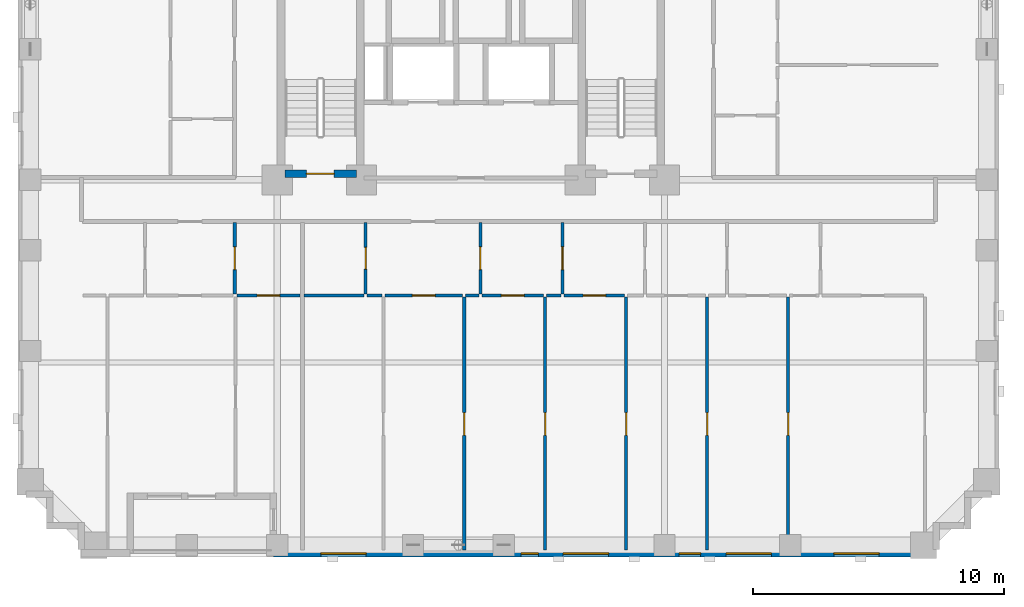
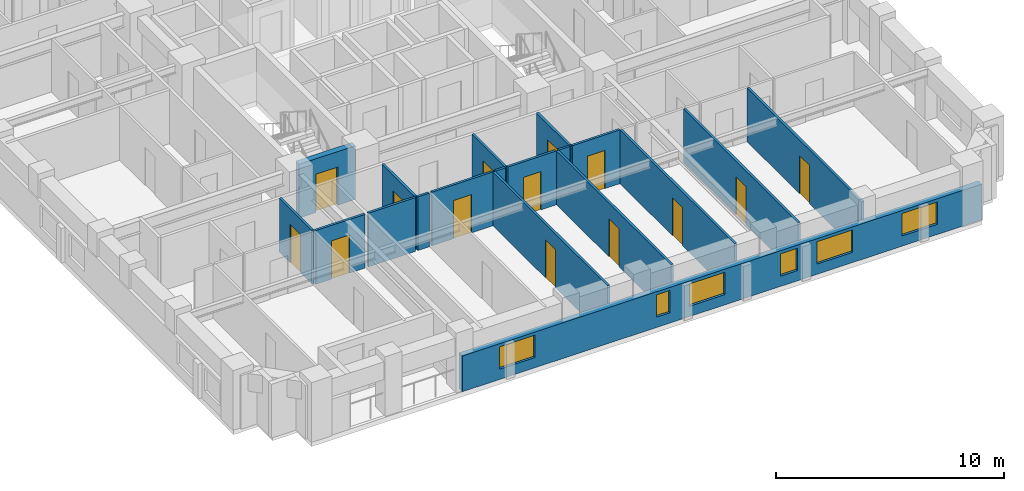
# One storey, part 3 of 14: 19 walls, 14 doors, 6 windows, 20 openings.
"""IFC4 building model written with IfcOpenShell, lengths in metres."""

from ifc_helpers import new_model, si_unit, derived_unit, direction, frame, frame_2d, origin, place, context, subcontext, project, spatial, rectangle, extrude, material, layer, layer_set, type_object, element, fill, save


model = new_model("IFC4")

# Units and contexts
model_context = context("Model", 3, precision=1e-05, world=origin(), true_north=direction((0.0, 1.0)))
body_context = subcontext(model_context, "Body", "Model", "MODEL_VIEW")
ifc_project = project(units=[si_unit("LENGTHUNIT", "METRE"), si_unit("AREAUNIT", "SQUARE_METRE"), si_unit("VOLUMEUNIT", "CUBIC_METRE"), si_unit("PLANEANGLEUNIT", "RADIAN"), si_unit("MASSUNIT", "GRAM", prefix="KILO"), derived_unit("THERMALTRANSMITTANCEUNIT", [(si_unit("MASSUNIT", "GRAM", prefix="KILO"), 1), (si_unit("TIMEUNIT", "SECOND"), -3), (si_unit("THERMODYNAMICTEMPERATUREUNIT", "KELVIN"), -1)])], contexts=[model_context])

# Site, building, storey
site_placement = place(None, origin())
site = spatial("IfcSite", under=ifc_project, at=site_placement, CompositionType="ELEMENT")
building_placement = place(site_placement, origin())
building = spatial("IfcBuilding", under=site, at=building_placement, Name="Korrvale Station Residences", CompositionType="ELEMENT")
storey_placement = place(building_placement, frame((0.0, 0.0, 67.39990234375)))
storey = spatial("IfcBuildingStorey", under=building, at=storey_placement, Name="L18", CompositionType="ELEMENT", Elevation=67.39990234375)

# Wall, opening, door
ifc_material_1 = material(Name="Concrete C70/85", Category="concrete")
ifc_layer_1 = layer(ifc_material_1, 0.300048828125, Name="Concrete C70/85")
ifc_layer_set_1 = layer_set([ifc_layer_1], Name="Concrete C70/85")
wall_type_1 = type_object("IfcWallType", Name="WAL-CORE-300-C70", PredefinedType="SHEAR", material=ifc_layer_set_1)
wall_1_placement = place(storey_placement, frame((18.10009765625, 15.25, 0.0), z_axis=(0.0, 0.0, 1.0), x_axis=(1.0, 0.0, 0.0)))
wall_1 = element("IfcWall", 1, at=wall_1_placement, inside=storey, type_object=wall_type_1, Name="L18 ST-1 Core Shear Wall South", PredefinedType="SHEAR", context=body_context, shape_type="SweptSolid", body=[
    extrude(rectangle(XDim=2.849853515625, YDim=0.300048828125, at=frame_2d((1.4248046875, 0.0))), origin(), (0.0, 0.0, 1.0), 2.880126953125),
])
opening_1_placement = place(wall_1_placement, frame((0.860107421875, 0.0, 0.0)))
opening_1 = element("IfcOpeningElement", 2, at=opening_1_placement, cuts=wall_1, Name="Opening SD-1100", PredefinedType="OPENING", context=body_context, shape_type="SweptSolid", body=[
    extrude(rectangle(XDim=1.10009765625, YDim=2.050048828125, at=frame_2d((0.550048828125, 1.02490234375))), frame((0.0, 0.16015625, 0.0), z_axis=(0.0, -1.0, 0.0), x_axis=(1.0, 0.0, 0.0)), (0.0, 0.0, 1.0), 0.320068359375),
])
ifc_material_2 = material(Name="Hollow-metal fire-rated stair door with closer", Category="steel")
door_type_1 = type_object("IfcDoorType", Name="DR-STAIR-1100", OperationType="NOTDEFINED", PredefinedType="DOOR", material=ifc_material_2)
door_1_placement = place(opening_1_placement, origin())
door_1 = element("IfcDoor", 3, at=door_1_placement, inside=storey, type_object=door_type_1, Name="L18 ST-1 Exit Stair Door", OperationType="SINGLE_SWING_LEFT", OverallHeight=2.050048828125, OverallWidth=1.10009765625, PredefinedType="DOOR", context=body_context, shape_type="SweptSolid", body=[
    extrude(rectangle(XDim=1.10009765625, YDim=2.050048828125, at=frame_2d((0.550048828125, 1.02490234375))), frame((0.0, 0.02490234375, 0.0), z_axis=(0.0, -1.0, 0.0), x_axis=(1.0, 0.0, 0.0)), (0.0, 0.0, 1.0), 0.050048828125),
])
fill(opening_1, door_1)

# Wall, openings, windows
ifc_material_3 = material(Name="Precast concrete C45/55", Category="concrete")
ifc_layer_2 = layer(ifc_material_3, 0.300048828125, Name="Precast concrete C45/55")
ifc_layer_set_2 = layer_set([ifc_layer_2], Name="Precast concrete C45/55")
wall_type_2 = type_object("IfcWallType", Name="WAL-EXT-PC300", PredefinedType="SOLIDWALL", material=ifc_layer_set_2)
wall_2_placement = place(storey_placement, frame((44.0, 0.14990234375, 0.0), z_axis=(0.0, 0.0, 1.0), x_axis=(-1.0, 0.0, 0.0)))
wall_2 = element("IfcWall", 4, at=wall_2_placement, inside=storey, type_object=wall_type_2, Name="L18 South Exterior Precast Wall 1", PredefinedType="SOLIDWALL", context=body_context, shape_type="SweptSolid", body=[
    extrude(rectangle(XDim=26.35009765625, YDim=0.300048828125, at=frame_2d((13.175048828125, 0.0))), origin(), (0.0, 0.0, 1.0), 1.9150390625),
])
opening_2_placement = place(wall_2_placement, frame((22.6650390625, 0.0, 0.550048828125)))
opening_2 = element("IfcOpeningElement", 5, at=opening_2_placement, cuts=wall_2, Name="Opening W-09", PredefinedType="OPENING", context=body_context, shape_type="SweptSolid", body=[
    extrude(rectangle(XDim=1.800048828125, YDim=1.199951171875, at=frame_2d((0.89990234375, 0.60009765625))), frame((0.0, 0.16015625, 0.0), z_axis=(0.0, -1.0, 0.0), x_axis=(1.0, 0.0, 0.0)), (0.0, 0.0, 1.0), 0.320068359375),
])
opening_3_placement = place(wall_2_placement, frame((15.820068359375, 0.0, 0.550048828125)))
opening_3 = element("IfcOpeningElement", 6, at=opening_3_placement, cuts=wall_2, Name="Opening W-12", PredefinedType="OPENING", context=body_context, shape_type="SweptSolid", body=[
    extrude(rectangle(XDim=0.679931640625, YDim=1.199951171875, at=frame_2d((0.33984375, 0.60009765625))), frame((0.0, 0.16015625, 0.0), z_axis=(0.0, -1.0, 0.0), x_axis=(1.0, 0.0, 0.0)), (0.0, 0.0, 1.0), 0.320068359375),
])
opening_4_placement = place(wall_2_placement, frame((13.027099609375, 0.0, 0.550048828125)))
opening_4 = element("IfcOpeningElement", 7, at=opening_4_placement, cuts=wall_2, Name="Opening W-09", PredefinedType="OPENING", context=body_context, shape_type="SweptSolid", body=[
    extrude(rectangle(XDim=1.800048828125, YDim=1.199951171875, at=frame_2d((0.89990234375, 0.60009765625))), frame((0.0, 0.16015625, 0.0), z_axis=(0.0, -1.0, 0.0), x_axis=(1.0, 0.0, 0.0)), (0.0, 0.0, 1.0), 0.320068359375),
])
opening_5_placement = place(wall_2_placement, frame((9.364990234375, 0.0, 0.550048828125)))
opening_5 = element("IfcOpeningElement", 8, at=opening_5_placement, cuts=wall_2, Name="Opening W-11", PredefinedType="OPENING", context=body_context, shape_type="SweptSolid", body=[
    extrude(rectangle(XDim=0.85009765625, YDim=1.199951171875, at=frame_2d((0.425048828125, 0.60009765625))), frame((0.0, 0.16015625, 0.0), z_axis=(0.0, -1.0, 0.0), x_axis=(1.0, 0.0, 0.0)), (0.0, 0.0, 1.0), 0.320068359375),
])
opening_6_placement = place(wall_2_placement, frame((6.552978515625, 0.0, 0.550048828125)))
opening_6 = element("IfcOpeningElement", 9, at=opening_6_placement, cuts=wall_2, Name="Opening W-09", PredefinedType="OPENING", context=body_context, shape_type="SweptSolid", body=[
    extrude(rectangle(XDim=1.800048828125, YDim=1.199951171875, at=frame_2d((0.89990234375, 0.60009765625))), frame((0.0, 0.16015625, 0.0), z_axis=(0.0, -1.0, 0.0), x_axis=(1.0, 0.0, 0.0)), (0.0, 0.0, 1.0), 0.320068359375),
])
opening_7_placement = place(wall_2_placement, frame((2.261962890625, 0.0, 0.550048828125)))
opening_7 = element("IfcOpeningElement", 10, at=opening_7_placement, cuts=wall_2, Name="Opening W-09", PredefinedType="OPENING", context=body_context, shape_type="SweptSolid", body=[
    extrude(rectangle(XDim=1.800048828125, YDim=1.199951171875, at=frame_2d((0.89990234375, 0.60009765625))), frame((0.0, 0.16015625, 0.0), z_axis=(0.0, -1.0, 0.0), x_axis=(1.0, 0.0, 0.0)), (0.0, 0.0, 1.0), 0.320068359375),
])
ifc_material_4 = material(Name="Thermally broken aluminium frame with triple low-e glazing", Category="aluminium")
window_type_1 = type_object("IfcWindowType", Name="WIN-W09", PartitioningType="DOUBLE_PANEL_VERTICAL", PredefinedType="WINDOW", material=ifc_material_4)
window_1_placement = place(opening_2_placement, origin())
window_1 = element("IfcWindow", 11, at=window_1_placement, inside=storey, type_object=window_type_1, Name="L18 Punched Window 05", OverallHeight=1.199951171875, OverallWidth=1.800048828125, PartitioningType="DOUBLE_PANEL_VERTICAL", PredefinedType="WINDOW", context=body_context, shape_type="SweptSolid", body=[
    extrude(rectangle(XDim=1.800048828125, YDim=1.199951171875, at=frame_2d((0.89990234375, 0.60009765625))), frame((0.0, 0.030029296875, 0.0), z_axis=(0.0, -1.0, 0.0), x_axis=(1.0, 0.0, 0.0)), (0.0, 0.0, 1.0), 0.06005859375),
])
fill(opening_2, window_1)
window_2_placement = place(opening_4_placement, origin())
window_2 = element("IfcWindow", 12, at=window_2_placement, inside=storey, type_object=window_type_1, Name="L18 Punched Window 07", OverallHeight=1.199951171875, OverallWidth=1.800048828125, PartitioningType="DOUBLE_PANEL_VERTICAL", PredefinedType="WINDOW", context=body_context, shape_type="SweptSolid", body=[
    extrude(rectangle(XDim=1.800048828125, YDim=1.199951171875, at=frame_2d((0.89990234375, 0.60009765625))), frame((0.0, 0.030029296875, 0.0), z_axis=(0.0, -1.0, 0.0), x_axis=(1.0, 0.0, 0.0)), (0.0, 0.0, 1.0), 0.06005859375),
])
fill(opening_4, window_2)
window_3_placement = place(opening_6_placement, origin())
window_3 = element("IfcWindow", 13, at=window_3_placement, inside=storey, type_object=window_type_1, Name="L18 Punched Window 09", OverallHeight=1.199951171875, OverallWidth=1.800048828125, PartitioningType="DOUBLE_PANEL_VERTICAL", PredefinedType="WINDOW", context=body_context, shape_type="SweptSolid", body=[
    extrude(rectangle(XDim=1.800048828125, YDim=1.199951171875, at=frame_2d((0.89990234375, 0.60009765625))), frame((0.0, 0.030029296875, 0.0), z_axis=(0.0, -1.0, 0.0), x_axis=(1.0, 0.0, 0.0)), (0.0, 0.0, 1.0), 0.06005859375),
])
fill(opening_6, window_3)
window_4_placement = place(opening_7_placement, origin())
window_4 = element("IfcWindow", 14, at=window_4_placement, inside=storey, type_object=window_type_1, Name="L18 Punched Window 10", OverallHeight=1.199951171875, OverallWidth=1.800048828125, PartitioningType="DOUBLE_PANEL_VERTICAL", PredefinedType="WINDOW", context=body_context, shape_type="SweptSolid", body=[
    extrude(rectangle(XDim=1.800048828125, YDim=1.199951171875, at=frame_2d((0.89990234375, 0.60009765625))), frame((0.0, 0.030029296875, 0.0), z_axis=(0.0, -1.0, 0.0), x_axis=(1.0, 0.0, 0.0)), (0.0, 0.0, 1.0), 0.06005859375),
])
fill(opening_7, window_4)
window_type_2 = type_object("IfcWindowType", Name="WIN-W11", PartitioningType="SINGLE_PANEL", PredefinedType="WINDOW", material=ifc_material_4)
window_5_placement = place(opening_5_placement, origin())
window_5 = element("IfcWindow", 15, at=window_5_placement, inside=storey, type_object=window_type_2, Name="L18 Punched Window 08", OverallHeight=1.199951171875, OverallWidth=0.85009765625, PartitioningType="SINGLE_PANEL", PredefinedType="WINDOW", context=body_context, shape_type="SweptSolid", body=[
    extrude(rectangle(XDim=0.85009765625, YDim=1.199951171875, at=frame_2d((0.425048828125, 0.60009765625))), frame((0.0, 0.030029296875, 0.0), z_axis=(0.0, -1.0, 0.0), x_axis=(1.0, 0.0, 0.0)), (0.0, 0.0, 1.0), 0.06005859375),
])
fill(opening_5, window_5)
window_type_3 = type_object("IfcWindowType", Name="WIN-W12", PartitioningType="SINGLE_PANEL", PredefinedType="WINDOW", material=ifc_material_4)
window_6_placement = place(opening_3_placement, origin())
window_6 = element("IfcWindow", 16, at=window_6_placement, inside=storey, type_object=window_type_3, Name="L18 Punched Window 06", OverallHeight=1.199951171875, OverallWidth=0.679931640625, PartitioningType="SINGLE_PANEL", PredefinedType="WINDOW", context=body_context, shape_type="SweptSolid", body=[
    extrude(rectangle(XDim=0.679931640625, YDim=1.199951171875, at=frame_2d((0.33984375, 0.60009765625))), frame((0.0, 0.030029296875, 0.0), z_axis=(0.0, -1.0, 0.0), x_axis=(1.0, 0.0, 0.0)), (0.0, 0.0, 1.0), 0.06005859375),
])
fill(opening_3, window_6)

# Wall, opening, door
ifc_material_5 = material(Name="Acoustic steel-stud gypsum board partition", Category="steel")
ifc_layer_3 = layer(ifc_material_5, 0.1201171875, Name="Acoustic steel-stud gypsum board partition")
ifc_layer_set_3 = layer_set([ifc_layer_3], Name="Acoustic steel-stud gypsum board partition")
wall_type_3 = type_object("IfcWallType", Name="WAL-PART-125", PredefinedType="PARTITIONING", material=ifc_layer_set_3)
wall_3_placement = place(storey_placement, frame((16.110107421875, 10.4599609375, 0.0), z_axis=(0.0, 0.0, 1.0), x_axis=(0.0, 1.0, 0.0)))
wall_3 = element("IfcWall", 17, at=wall_3_placement, inside=storey, type_object=wall_type_3, Name="L18 Suite Partition U01-V12", PredefinedType="PARTITIONING", context=body_context, shape_type="SweptSolid", body=[
    extrude(rectangle(XDim=2.85009765625, YDim=0.1201171875, at=frame_2d((1.425048828125, 0.0))), origin(), (0.0, 0.0, 1.0), 2.880126953125),
])
opening_8_placement = place(wall_3_placement, frame((0.97509765625, 0.0, 0.0)))
opening_8 = element("IfcOpeningElement", 18, at=opening_8_placement, cuts=wall_3, Name="Opening DI-900", PredefinedType="OPENING", context=body_context, shape_type="SweptSolid", body=[
    extrude(rectangle(XDim=0.89990234375, YDim=2.050048828125, at=frame_2d((0.449951171875, 1.02490234375))), frame((0.0, 0.070068359375, 0.0), z_axis=(0.0, -1.0, 0.0), x_axis=(1.0, 0.0, 0.0)), (0.0, 0.0, 1.0), 0.14013671875),
])
ifc_material_6 = material(Name="Painted solid-core timber interior room door", Category="wood")
door_type_2 = type_object("IfcDoorType", Name="DR-INT-900", OperationType="NOTDEFINED", PredefinedType="DOOR", material=ifc_material_6)
door_2_placement = place(opening_8_placement, origin())
door_2 = element("IfcDoor", 19, at=door_2_placement, inside=storey, type_object=door_type_2, Name="L18 Studio Apartment L18-U01 Kitchen Door", OperationType="SINGLE_SWING_RIGHT", OverallHeight=2.050048828125, OverallWidth=0.89990234375, PredefinedType="DOOR", context=body_context, shape_type="SweptSolid", body=[
    extrude(rectangle(XDim=0.89990234375, YDim=2.050048828125, at=frame_2d((0.449951171875, 1.02490234375))), frame((0.0, 0.02490234375, 0.0), z_axis=(0.0, -1.0, 0.0), x_axis=(1.0, 0.0, 0.0)), (0.0, 0.0, 1.0), 0.050048828125),
])
fill(opening_8, door_2)

wall_4_placement = place(storey_placement, frame((16.196044921875, 10.39990234375, 0.0), z_axis=(0.0, 0.0, 1.0), x_axis=(1.0, 0.0, 0.0)))
wall_4 = element("IfcWall", 20, at=wall_4_placement, inside=storey, type_object=wall_type_3, Name="L18 Suite Partition U01-H25", PredefinedType="PARTITIONING", context=body_context, shape_type="SweptSolid", body=[
    extrude(rectangle(XDim=2.5, YDim=0.1201171875, at=frame_2d((1.25, 0.0))), origin(), (0.0, 0.0, 1.0), 2.880126953125),
])
opening_9_placement = place(wall_4_placement, frame((0.800048828125, 0.0, 0.0)))
opening_9 = element("IfcOpeningElement", 21, at=opening_9_placement, cuts=wall_4, Name="Opening DI-900", PredefinedType="OPENING", context=body_context, shape_type="SweptSolid", body=[
    extrude(rectangle(XDim=0.89990234375, YDim=2.050048828125, at=frame_2d((0.449951171875, 1.02490234375))), frame((0.0, 0.070068359375, 0.0), z_axis=(0.0, -1.0, 0.0), x_axis=(1.0, 0.0, 0.0)), (0.0, 0.0, 1.0), 0.14013671875),
])
door_3_placement = place(opening_9_placement, origin())
door_3 = element("IfcDoor", 22, at=door_3_placement, inside=storey, type_object=door_type_2, Name="L18 Studio Apartment L18-U01 Utility and Laundry Room Door", OperationType="SINGLE_SWING_RIGHT", OverallHeight=2.050048828125, OverallWidth=0.89990234375, PredefinedType="DOOR", context=body_context, shape_type="SweptSolid", body=[
    extrude(rectangle(XDim=0.89990234375, YDim=2.050048828125, at=frame_2d((0.449951171875, 1.02490234375))), frame((0.0, 0.02490234375, 0.0), z_axis=(0.0, -1.0, 0.0), x_axis=(1.0, 0.0, 0.0)), (0.0, 0.0, 1.0), 0.050048828125),
])
fill(opening_9, door_3)

wall_5_placement = place(storey_placement, frame((21.31591796875, 10.4599609375, 0.0), z_axis=(0.0, 0.0, 1.0), x_axis=(0.0, 1.0, 0.0)))
wall_5 = element("IfcWall", 23, at=wall_5_placement, inside=storey, type_object=wall_type_3, Name="L18 Suite Partition U02-V01", PredefinedType="PARTITIONING", context=body_context, shape_type="SweptSolid", body=[
    extrude(rectangle(XDim=2.85009765625, YDim=0.1201171875, at=frame_2d((1.425048828125, 0.0))), origin(), (0.0, 0.0, 1.0), 2.880126953125),
])
opening_10_placement = place(wall_5_placement, frame((0.9951171875, 0.0, 0.0)))
opening_10 = element("IfcOpeningElement", 24, at=opening_10_placement, cuts=wall_5, Name="Opening DB-860", PredefinedType="OPENING", context=body_context, shape_type="SweptSolid", body=[
    extrude(rectangle(XDim=0.860107421875, YDim=2.050048828125, at=frame_2d((0.43017578125, 1.02490234375))), frame((0.0, 0.070068359375, 0.0), z_axis=(0.0, -1.0, 0.0), x_axis=(1.0, 0.0, 0.0)), (0.0, 0.0, 1.0), 0.14013671875),
])
ifc_material_7 = material(Name="Moisture-resistant solid-core bathroom door", Category="timber")
door_type_3 = type_object("IfcDoorType", Name="DR-BATH-860", OperationType="NOTDEFINED", PredefinedType="DOOR", material=ifc_material_7)
door_4_placement = place(opening_10_placement, origin())
door_4 = element("IfcDoor", 25, at=door_4_placement, inside=storey, type_object=door_type_3, Name="L18 Studio Apartment L18-U02 Bathroom Door", OperationType="SINGLE_SWING_LEFT", OverallHeight=2.050048828125, OverallWidth=0.860107421875, PredefinedType="DOOR", context=body_context, shape_type="SweptSolid", body=[
    extrude(rectangle(XDim=0.860107421875, YDim=2.050048828125, at=frame_2d((0.43017578125, 1.02490234375))), frame((0.0, 0.02490234375, 0.0), z_axis=(0.0, -1.0, 0.0), x_axis=(1.0, 0.0, 0.0)), (0.0, 0.0, 1.0), 0.050048828125),
])
fill(opening_10, door_4)

# Wall
wall_6_placement = place(storey_placement, frame((18.85595703125, 10.39990234375, 0.0), z_axis=(0.0, 0.0, 1.0), x_axis=(1.0, 0.0, 0.0)))
element("IfcWall", 26, at=wall_6_placement, inside=storey, type_object=wall_type_3, Name="L18 Suite Partition U02-H07", PredefinedType="PARTITIONING", context=body_context, shape_type="SweptSolid", body=[
    extrude(rectangle(XDim=2.400146484375, YDim=0.1201171875, at=frame_2d((1.2001953125, 0.0))), origin(), (0.0, 0.0, 1.0), 2.880126953125),
])

# Wall, opening, door
wall_7_placement = place(storey_placement, frame((25.8759765625, 10.4599609375, 0.0), z_axis=(0.0, 0.0, 1.0), x_axis=(0.0, 1.0, 0.0)))
wall_7 = element("IfcWall", 27, at=wall_7_placement, inside=storey, type_object=wall_type_3, Name="L18 Suite Partition U02-V12", PredefinedType="PARTITIONING", context=body_context, shape_type="SweptSolid", body=[
    extrude(rectangle(XDim=2.85009765625, YDim=0.1201171875, at=frame_2d((1.425048828125, 0.0))), origin(), (0.0, 0.0, 1.0), 2.880126953125),
])
opening_11_placement = place(wall_7_placement, frame((0.97509765625, 0.0, 0.0)))
opening_11 = element("IfcOpeningElement", 28, at=opening_11_placement, cuts=wall_7, Name="Opening DI-900", PredefinedType="OPENING", context=body_context, shape_type="SweptSolid", body=[
    extrude(rectangle(XDim=0.89990234375, YDim=2.050048828125, at=frame_2d((0.449951171875, 1.02490234375))), frame((0.0, 0.070068359375, 0.0), z_axis=(0.0, -1.0, 0.0), x_axis=(1.0, 0.0, 0.0)), (0.0, 0.0, 1.0), 0.14013671875),
])
door_5_placement = place(opening_11_placement, origin())
door_5 = element("IfcDoor", 29, at=door_5_placement, inside=storey, type_object=door_type_2, Name="L18 Studio Apartment L18-U02 Kitchen Door", OperationType="SINGLE_SWING_RIGHT", OverallHeight=2.050048828125, OverallWidth=0.89990234375, PredefinedType="DOOR", context=body_context, shape_type="SweptSolid", body=[
    extrude(rectangle(XDim=0.89990234375, YDim=2.050048828125, at=frame_2d((0.449951171875, 1.02490234375))), frame((0.0, 0.02490234375, 0.0), z_axis=(0.0, -1.0, 0.0), x_axis=(1.0, 0.0, 0.0)), (0.0, 0.0, 1.0), 0.050048828125),
])
fill(opening_11, door_5)

# Wall
wall_8_placement = place(storey_placement, frame((21.3759765625, 10.39990234375, 0.0), z_axis=(0.0, 0.0, 1.0), x_axis=(1.0, 0.0, 0.0)))
element("IfcWall", 30, at=wall_8_placement, inside=storey, type_object=wall_type_3, Name="L18 Suite Partition U02-H17", PredefinedType="PARTITIONING", context=body_context, shape_type="SweptSolid", body=[
    extrude(rectangle(XDim=0.580078125, YDim=0.1201171875, at=frame_2d((0.2900390625, 0.0))), origin(), (0.0, 0.0, 1.0), 2.880126953125),
])

# Wall, opening, door
wall_9_placement = place(storey_placement, frame((22.075927734375, 10.39990234375, 0.0), z_axis=(0.0, 0.0, 1.0), x_axis=(1.0, 0.0, 0.0)))
wall_9 = element("IfcWall", 31, at=wall_9_placement, inside=storey, type_object=wall_type_3, Name="L18 Suite Partition U02-H18", PredefinedType="PARTITIONING", context=body_context, shape_type="SweptSolid", body=[
    extrude(rectangle(XDim=3.10009765625, YDim=0.1201171875, at=frame_2d((1.550048828125, 0.0))), origin(), (0.0, 0.0, 1.0), 2.880126953125),
])
opening_12_placement = place(wall_9_placement, frame((1.10009765625, 0.0, 0.0)))
opening_12 = element("IfcOpeningElement", 32, at=opening_12_placement, cuts=wall_9, Name="Opening DI-900", PredefinedType="OPENING", context=body_context, shape_type="SweptSolid", body=[
    extrude(rectangle(XDim=0.89990234375, YDim=2.050048828125, at=frame_2d((0.449951171875, 1.02490234375))), frame((0.0, 0.070068359375, 0.0), z_axis=(0.0, -1.0, 0.0), x_axis=(1.0, 0.0, 0.0)), (0.0, 0.0, 1.0), 0.14013671875),
])
door_6_placement = place(opening_12_placement, origin())
door_6 = element("IfcDoor", 33, at=door_6_placement, inside=storey, type_object=door_type_2, Name="L18 Studio Apartment L18-U02 Kitchen Door", OperationType="SINGLE_SWING_LEFT", OverallHeight=2.050048828125, OverallWidth=0.89990234375, PredefinedType="DOOR", context=body_context, shape_type="SweptSolid", body=[
    extrude(rectangle(XDim=0.89990234375, YDim=2.050048828125, at=frame_2d((0.449951171875, 1.02490234375))), frame((0.0, 0.02490234375, 0.0), z_axis=(0.0, -1.0, 0.0), x_axis=(1.0, 0.0, 0.0)), (0.0, 0.0, 1.0), 0.050048828125),
])
fill(opening_12, door_6)

# Wall
wall_10_placement = place(storey_placement, frame((25.2958984375, 10.39990234375, 0.0), z_axis=(0.0, 0.0, 1.0), x_axis=(1.0, 0.0, 0.0)))
element("IfcWall", 34, at=wall_10_placement, inside=storey, type_object=wall_type_3, Name="L18 Suite Partition U02-H19", PredefinedType="PARTITIONING", context=body_context, shape_type="SweptSolid", body=[
    extrude(rectangle(XDim=0.52001953125, YDim=0.1201171875, at=frame_2d((0.260009765625, 0.0))), origin(), (0.0, 0.0, 1.0), 2.880126953125),
])

# Wall, opening, door
wall_11_placement = place(storey_placement, frame((29.14599609375, 10.4599609375, 0.0), z_axis=(0.0, 0.0, 1.0), x_axis=(0.0, 1.0, 0.0)))
wall_11 = element("IfcWall", 35, at=wall_11_placement, inside=storey, type_object=wall_type_3, Name="L18 Suite Partition U02-V23", PredefinedType="PARTITIONING", context=body_context, shape_type="SweptSolid", body=[
    extrude(rectangle(XDim=2.85009765625, YDim=0.1201171875, at=frame_2d((1.425048828125, 0.0))), origin(), (0.0, 0.0, 1.0), 2.880126953125),
])
opening_13_placement = place(wall_11_placement, frame((0.97509765625, 0.0, 0.0)))
opening_13 = element("IfcOpeningElement", 36, at=opening_13_placement, cuts=wall_11, Name="Opening DI-900", PredefinedType="OPENING", context=body_context, shape_type="SweptSolid", body=[
    extrude(rectangle(XDim=0.89990234375, YDim=2.050048828125, at=frame_2d((0.449951171875, 1.02490234375))), frame((0.0, 0.070068359375, 0.0), z_axis=(0.0, -1.0, 0.0), x_axis=(1.0, 0.0, 0.0)), (0.0, 0.0, 1.0), 0.14013671875),
])
door_7_placement = place(opening_13_placement, origin())
door_7 = element("IfcDoor", 37, at=door_7_placement, inside=storey, type_object=door_type_2, Name="L18 Studio Apartment L18-U02 Home Study Room Door", OperationType="SINGLE_SWING_RIGHT", OverallHeight=2.050048828125, OverallWidth=0.89990234375, PredefinedType="DOOR", context=body_context, shape_type="SweptSolid", body=[
    extrude(rectangle(XDim=0.89990234375, YDim=2.050048828125, at=frame_2d((0.449951171875, 1.02490234375))), frame((0.0, 0.02490234375, 0.0), z_axis=(0.0, -1.0, 0.0), x_axis=(1.0, 0.0, 0.0)), (0.0, 0.0, 1.0), 0.050048828125),
])
fill(opening_13, door_7)

wall_12_placement = place(storey_placement, frame((25.93603515625, 10.39990234375, 0.0), z_axis=(0.0, 0.0, 1.0), x_axis=(1.0, 0.0, 0.0)))
wall_12 = element("IfcWall", 38, at=wall_12_placement, inside=storey, type_object=wall_type_3, Name="L18 Suite Partition U02-H29", PredefinedType="PARTITIONING", context=body_context, shape_type="SweptSolid", body=[
    extrude(rectangle(XDim=2.4599609375, YDim=0.1201171875, at=frame_2d((1.22998046875, 0.0))), origin(), (0.0, 0.0, 1.0), 2.880126953125),
])
opening_14_placement = place(wall_12_placement, frame((0.780029296875, 0.0, 0.0)))
opening_14 = element("IfcOpeningElement", 39, at=opening_14_placement, cuts=wall_12, Name="Opening DI-900", PredefinedType="OPENING", context=body_context, shape_type="SweptSolid", body=[
    extrude(rectangle(XDim=0.89990234375, YDim=2.050048828125, at=frame_2d((0.449951171875, 1.02490234375))), frame((0.0, 0.070068359375, 0.0), z_axis=(0.0, -1.0, 0.0), x_axis=(1.0, 0.0, 0.0)), (0.0, 0.0, 1.0), 0.14013671875),
])
door_8_placement = place(opening_14_placement, origin())
door_8 = element("IfcDoor", 40, at=door_8_placement, inside=storey, type_object=door_type_2, Name="L18 Studio Apartment L18-U02 Home Study Room Door", OperationType="SINGLE_SWING_LEFT", OverallHeight=2.050048828125, OverallWidth=0.89990234375, PredefinedType="DOOR", context=body_context, shape_type="SweptSolid", body=[
    extrude(rectangle(XDim=0.89990234375, YDim=2.050048828125, at=frame_2d((0.449951171875, 1.02490234375))), frame((0.0, 0.02490234375, 0.0), z_axis=(0.0, -1.0, 0.0), x_axis=(1.0, 0.0, 0.0)), (0.0, 0.0, 1.0), 0.050048828125),
])
fill(opening_14, door_8)

# Wall
wall_13_placement = place(storey_placement, frame((28.51611328125, 10.39990234375, 0.0), z_axis=(0.0, 0.0, 1.0), x_axis=(1.0, 0.0, 0.0)))
element("IfcWall", 41, at=wall_13_placement, inside=storey, type_object=wall_type_3, Name="L18 Suite Partition U02-H210", PredefinedType="PARTITIONING", context=body_context, shape_type="SweptSolid", body=[
    extrude(rectangle(XDim=0.56982421875, YDim=0.1201171875, at=frame_2d((0.284912109375, 0.0))), origin(), (0.0, 0.0, 1.0), 2.880126953125),
])

# Wall, opening, door
wall_14_placement = place(storey_placement, frame((29.2060546875, 10.39990234375, 0.0), z_axis=(0.0, 0.0, 1.0), x_axis=(1.0, 0.0, 0.0)))
wall_14 = element("IfcWall", 42, at=wall_14_placement, inside=storey, type_object=wall_type_3, Name="L18 Suite Partition U02-H310", PredefinedType="PARTITIONING", context=body_context, shape_type="SweptSolid", body=[
    extrude(rectangle(XDim=2.409912109375, YDim=0.1201171875, at=frame_2d((1.205078125, 0.0))), origin(), (0.0, 0.0, 1.0), 2.880126953125),
])
opening_15_placement = place(wall_14_placement, frame((0.7548828125, 0.0, 0.0)))
opening_15 = element("IfcOpeningElement", 43, at=opening_15_placement, cuts=wall_14, Name="Opening DI-900", PredefinedType="OPENING", context=body_context, shape_type="SweptSolid", body=[
    extrude(rectangle(XDim=0.89990234375, YDim=2.050048828125, at=frame_2d((0.449951171875, 1.02490234375))), frame((0.0, 0.070068359375, 0.0), z_axis=(0.0, -1.0, 0.0), x_axis=(1.0, 0.0, 0.0)), (0.0, 0.0, 1.0), 0.14013671875),
])
door_9_placement = place(opening_15_placement, origin())
door_9 = element("IfcDoor", 44, at=door_9_placement, inside=storey, type_object=door_type_2, Name="L18 Studio Apartment L18-U02 Home Study Room Door", OperationType="SINGLE_SWING_LEFT", OverallHeight=2.050048828125, OverallWidth=0.89990234375, PredefinedType="DOOR", context=body_context, shape_type="SweptSolid", body=[
    extrude(rectangle(XDim=0.89990234375, YDim=2.050048828125, at=frame_2d((0.449951171875, 1.02490234375))), frame((0.0, 0.02490234375, 0.0), z_axis=(0.0, -1.0, 0.0), x_axis=(1.0, 0.0, 0.0)), (0.0, 0.0, 1.0), 0.050048828125),
])
fill(opening_15, door_9)

wall_15_placement = place(storey_placement, frame((25.236083984375, 0.280029296875, 0.0), z_axis=(0.0, 0.0, 1.0), x_axis=(0.0, 1.0, 0.0)))
wall_15 = element("IfcWall", 45, at=wall_15_placement, inside=storey, type_object=wall_type_3, Name="L18 Suite Partition U02-V89", PredefinedType="PARTITIONING", context=body_context, shape_type="SweptSolid", body=[
    extrude(rectangle(XDim=10.06005859375, YDim=0.1201171875, at=frame_2d((5.030029296875, 0.0))), origin(), (0.0, 0.0, 1.0), 2.880126953125),
])
opening_16_placement = place(wall_15_placement, frame((4.56494140625, 0.0, 0.0)))
opening_16 = element("IfcOpeningElement", 46, at=opening_16_placement, cuts=wall_15, Name="Opening DI-900", PredefinedType="OPENING", context=body_context, shape_type="SweptSolid", body=[
    extrude(rectangle(XDim=0.89990234375, YDim=2.050048828125, at=frame_2d((0.449951171875, 1.02490234375))), frame((0.0, 0.070068359375, 0.0), z_axis=(0.0, -1.0, 0.0), x_axis=(1.0, 0.0, 0.0)), (0.0, 0.0, 1.0), 0.14013671875),
])
door_10_placement = place(opening_16_placement, origin())
door_10 = element("IfcDoor", 47, at=door_10_placement, inside=storey, type_object=door_type_2, Name="L18 Studio Apartment L18-U02 Walk-In Wardrobe Door", OperationType="SINGLE_SWING_LEFT", OverallHeight=2.050048828125, OverallWidth=0.89990234375, PredefinedType="DOOR", context=body_context, shape_type="SweptSolid", body=[
    extrude(rectangle(XDim=0.89990234375, YDim=2.050048828125, at=frame_2d((0.449951171875, 1.02490234375))), frame((0.0, 0.02490234375, 0.0), z_axis=(0.0, -1.0, 0.0), x_axis=(1.0, 0.0, 0.0)), (0.0, 0.0, 1.0), 0.050048828125),
])
fill(opening_16, door_10)

wall_16_placement = place(storey_placement, frame((28.4560546875, 0.280029296875, 0.0), z_axis=(0.0, 0.0, 1.0), x_axis=(0.0, 1.0, 0.0)))
wall_16 = element("IfcWall", 48, at=wall_16_placement, inside=storey, type_object=wall_type_3, Name="L18 Suite Partition U02-V910", PredefinedType="PARTITIONING", context=body_context, shape_type="SweptSolid", body=[
    extrude(rectangle(XDim=10.06005859375, YDim=0.1201171875, at=frame_2d((5.030029296875, 0.0))), origin(), (0.0, 0.0, 1.0), 2.880126953125),
])
opening_17_placement = place(wall_16_placement, frame((4.56494140625, 0.0, 0.0)))
opening_17 = element("IfcOpeningElement", 49, at=opening_17_placement, cuts=wall_16, Name="Opening DI-900", PredefinedType="OPENING", context=body_context, shape_type="SweptSolid", body=[
    extrude(rectangle(XDim=0.89990234375, YDim=2.050048828125, at=frame_2d((0.449951171875, 1.02490234375))), frame((0.0, 0.070068359375, 0.0), z_axis=(0.0, -1.0, 0.0), x_axis=(1.0, 0.0, 0.0)), (0.0, 0.0, 1.0), 0.14013671875),
])
door_11_placement = place(opening_17_placement, origin())
door_11 = element("IfcDoor", 50, at=door_11_placement, inside=storey, type_object=door_type_2, Name="L18 Studio Apartment L18-U02 Walk-In Wardrobe Door", OperationType="SINGLE_SWING_RIGHT", OverallHeight=2.050048828125, OverallWidth=0.89990234375, PredefinedType="DOOR", context=body_context, shape_type="SweptSolid", body=[
    extrude(rectangle(XDim=0.89990234375, YDim=2.050048828125, at=frame_2d((0.449951171875, 1.02490234375))), frame((0.0, 0.02490234375, 0.0), z_axis=(0.0, -1.0, 0.0), x_axis=(1.0, 0.0, 0.0)), (0.0, 0.0, 1.0), 0.050048828125),
])
fill(opening_17, door_11)

wall_17_placement = place(storey_placement, frame((31.676025390625, 0.280029296875, 0.0), z_axis=(0.0, 0.0, 1.0), x_axis=(0.0, 1.0, 0.0)))
wall_17 = element("IfcWall", 51, at=wall_17_placement, inside=storey, type_object=wall_type_3, Name="L18 Suite Partition U02-V1011", PredefinedType="PARTITIONING", context=body_context, shape_type="SweptSolid", body=[
    extrude(rectangle(XDim=10.06005859375, YDim=0.1201171875, at=frame_2d((5.030029296875, 0.0))), origin(), (0.0, 0.0, 1.0), 2.880126953125),
])
opening_18_placement = place(wall_17_placement, frame((4.56494140625, 0.0, 0.0)))
opening_18 = element("IfcOpeningElement", 52, at=opening_18_placement, cuts=wall_17, Name="Opening DI-900", PredefinedType="OPENING", context=body_context, shape_type="SweptSolid", body=[
    extrude(rectangle(XDim=0.89990234375, YDim=2.050048828125, at=frame_2d((0.449951171875, 1.02490234375))), frame((0.0, 0.070068359375, 0.0), z_axis=(0.0, -1.0, 0.0), x_axis=(1.0, 0.0, 0.0)), (0.0, 0.0, 1.0), 0.14013671875),
])
door_12_placement = place(opening_18_placement, origin())
door_12 = element("IfcDoor", 53, at=door_12_placement, inside=storey, type_object=door_type_2, Name="L18 Studio Apartment L18-U02 Formal Dining Room Door", OperationType="SINGLE_SWING_LEFT", OverallHeight=2.050048828125, OverallWidth=0.89990234375, PredefinedType="DOOR", context=body_context, shape_type="SweptSolid", body=[
    extrude(rectangle(XDim=0.89990234375, YDim=2.050048828125, at=frame_2d((0.449951171875, 1.02490234375))), frame((0.0, 0.02490234375, 0.0), z_axis=(0.0, -1.0, 0.0), x_axis=(1.0, 0.0, 0.0)), (0.0, 0.0, 1.0), 0.050048828125),
])
fill(opening_18, door_12)

wall_18_placement = place(storey_placement, frame((34.89599609375, 0.280029296875, 0.0), z_axis=(0.0, 0.0, 1.0), x_axis=(0.0, 1.0, 0.0)))
wall_18 = element("IfcWall", 54, at=wall_18_placement, inside=storey, type_object=wall_type_3, Name="L18 Suite Partition U02-V1112", PredefinedType="PARTITIONING", context=body_context, shape_type="SweptSolid", body=[
    extrude(rectangle(XDim=10.06005859375, YDim=0.1201171875, at=frame_2d((5.030029296875, 0.0))), origin(), (0.0, 0.0, 1.0), 2.880126953125),
])
opening_19_placement = place(wall_18_placement, frame((4.56494140625, 0.0, 0.0)))
opening_19 = element("IfcOpeningElement", 55, at=opening_19_placement, cuts=wall_18, Name="Opening DI-900", PredefinedType="OPENING", context=body_context, shape_type="SweptSolid", body=[
    extrude(rectangle(XDim=0.89990234375, YDim=2.050048828125, at=frame_2d((0.449951171875, 1.02490234375))), frame((0.0, 0.070068359375, 0.0), z_axis=(0.0, -1.0, 0.0), x_axis=(1.0, 0.0, 0.0)), (0.0, 0.0, 1.0), 0.14013671875),
])
door_13_placement = place(opening_19_placement, origin())
door_13 = element("IfcDoor", 56, at=door_13_placement, inside=storey, type_object=door_type_2, Name="L18 Studio Apartment L18-U02 Walk-In Wardrobe Door", OperationType="SINGLE_SWING_RIGHT", OverallHeight=2.050048828125, OverallWidth=0.89990234375, PredefinedType="DOOR", context=body_context, shape_type="SweptSolid", body=[
    extrude(rectangle(XDim=0.89990234375, YDim=2.050048828125, at=frame_2d((0.449951171875, 1.02490234375))), frame((0.0, 0.02490234375, 0.0), z_axis=(0.0, -1.0, 0.0), x_axis=(1.0, 0.0, 0.0)), (0.0, 0.0, 1.0), 0.050048828125),
])
fill(opening_19, door_13)

wall_19_placement = place(storey_placement, frame((38.115966796875, 0.280029296875, 0.0), z_axis=(0.0, 0.0, 1.0), x_axis=(0.0, 1.0, 0.0)))
wall_19 = element("IfcWall", 57, at=wall_19_placement, inside=storey, type_object=wall_type_3, Name="L18 Suite Partition U02-V1213", PredefinedType="PARTITIONING", context=body_context, shape_type="SweptSolid", body=[
    extrude(rectangle(XDim=10.06005859375, YDim=0.1201171875, at=frame_2d((5.030029296875, 0.0))), origin(), (0.0, 0.0, 1.0), 2.880126953125),
])
opening_20_placement = place(wall_19_placement, frame((4.56494140625, 0.0, 0.0)))
opening_20 = element("IfcOpeningElement", 58, at=opening_20_placement, cuts=wall_19, Name="Opening DI-900", PredefinedType="OPENING", context=body_context, shape_type="SweptSolid", body=[
    extrude(rectangle(XDim=0.89990234375, YDim=2.050048828125, at=frame_2d((0.449951171875, 1.02490234375))), frame((0.0, 0.070068359375, 0.0), z_axis=(0.0, -1.0, 0.0), x_axis=(1.0, 0.0, 0.0)), (0.0, 0.0, 1.0), 0.14013671875),
])
door_14_placement = place(opening_20_placement, origin())
door_14 = element("IfcDoor", 59, at=door_14_placement, inside=storey, type_object=door_type_2, Name="L18 Studio Apartment L18-U02 Formal Dining Room Door", OperationType="SINGLE_SWING_LEFT", OverallHeight=2.050048828125, OverallWidth=0.89990234375, PredefinedType="DOOR", context=body_context, shape_type="SweptSolid", body=[
    extrude(rectangle(XDim=0.89990234375, YDim=2.050048828125, at=frame_2d((0.449951171875, 1.02490234375))), frame((0.0, 0.02490234375, 0.0), z_axis=(0.0, -1.0, 0.0), x_axis=(1.0, 0.0, 0.0)), (0.0, 0.0, 1.0), 0.050048828125),
])
fill(opening_20, door_14)

save(model, "model.ifc")
